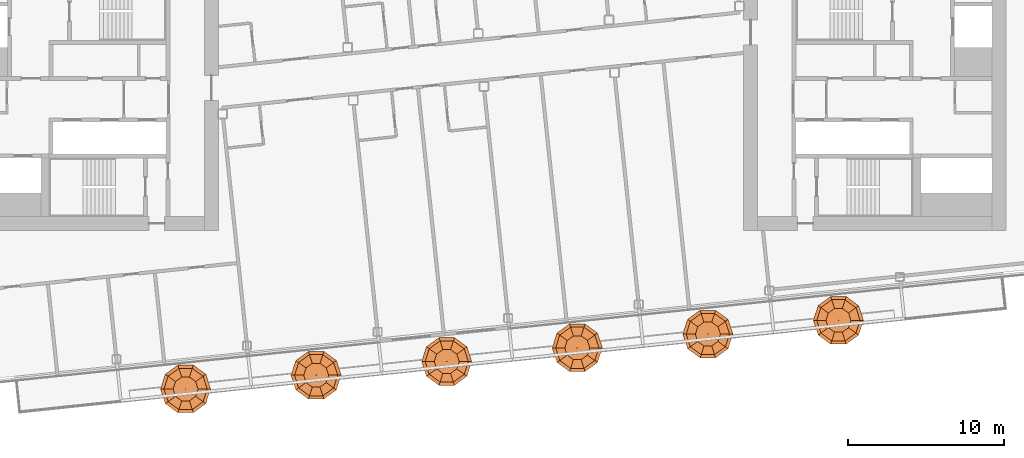
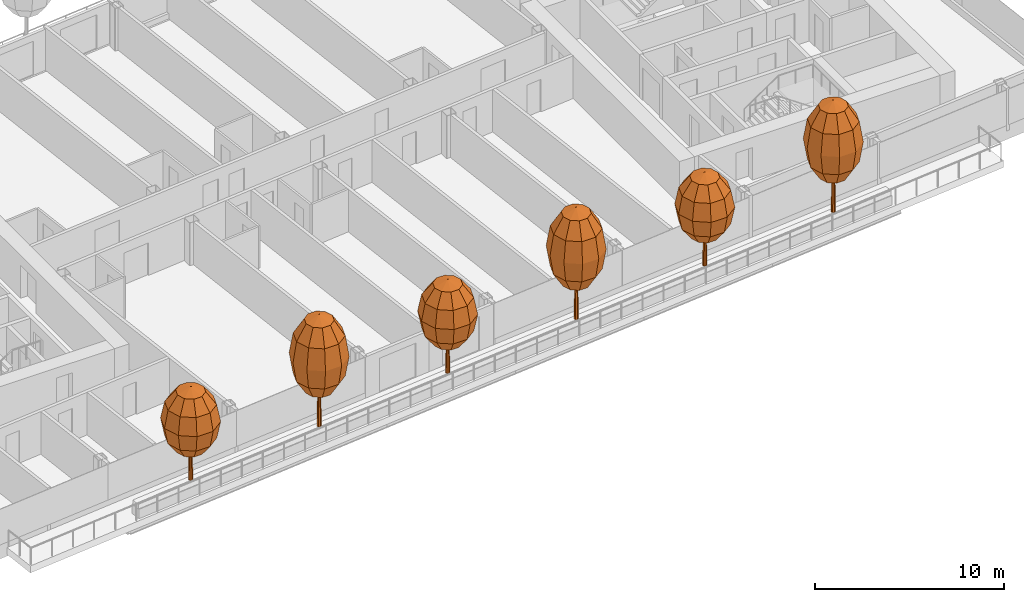
# One storey, part 29 of 30: 6 geographic elements.
"""IFC4 building model written with IfcOpenShell, lengths in metres."""

from ifc_helpers import new_model, si_unit, direction, frame, origin, place, context, subcontext, project, spatial, triangles, material, type_object, element, save


model = new_model("IFC4")

# Units and contexts
model_context = context("Model", 3, precision=1e-05, world=origin(), true_north=direction((0.0, 1.0)))
body_context = subcontext(model_context, "Body", "Model", "MODEL_VIEW")
ifc_project = project(units=[si_unit("LENGTHUNIT", "METRE"), si_unit("AREAUNIT", "SQUARE_METRE"), si_unit("VOLUMEUNIT", "CUBIC_METRE"), si_unit("PLANEANGLEUNIT", "RADIAN"), si_unit("MASSUNIT", "GRAM", prefix="KILO")], contexts=[model_context])

# Site, building, storey
site_placement = place(None, origin())
site = spatial("IfcSite", under=ifc_project, at=site_placement, CompositionType="ELEMENT")
building_placement = place(site_placement, origin())
building = spatial("IfcBuilding", under=site, at=building_placement, Name="Hakoniwa Tower and Hamabe Station Hall", CompositionType="ELEMENT")
storey_placement = place(building_placement, frame((0.0, 0.0, 245.39990234375)))
storey = spatial("IfcBuildingStorey", under=building, at=storey_placement, Name="L69", CompositionType="ELEMENT", Elevation=245.39990234375)

# Geographic elements
ifc_material_1 = material(Name="Tree foliage")
geographic_element_type_1 = type_object("IfcGeographicElementType", Name="Japanese maple 7.2 m", PredefinedType="USERDEFINED", material=ifc_material_1)
geographic_element_1_placement = place(storey_placement, frame((-10.550048828125, -17.663330078125, 0.900146484375)))
element("IfcGeographicElement", 1, at=geographic_element_1_placement, inside=storey, type_object=geographic_element_type_1, Name="Japanese maple 7-2 m", ObjectType="TREE", PredefinedType="USERDEFINED", context=body_context, shape_type="Tessellation", body=[
    triangles([(0.125, 0.0, 0.0), (0.08837890625, 0.08837890625, 0.0), (0.0, 0.125, 0.0), (-0.08837890625, 0.08837890625, 0.0), (-0.125, 0.0, 0.0), (-0.08837890625, -0.08837890625, 0.0), (0.0, -0.125, 0.0), (0.08837890625, -0.08837890625, 0.0), (0.074951171875, 0.0, 4.348876953125), (0.052978515625, 0.052978515625, 4.348876953125), (0.0, 0.074951171875, 4.348876953125), (-0.052978515625, 0.052978515625, 4.348876953125), (-0.074951171875, 0.0, 4.348876953125), (-0.052978515625, -0.052978515625, 4.348876953125), (0.0, -0.074951171875, 4.348876953125), (0.052978515625, -0.052978515625, 4.348876953125), (0.0, 0.0, 0.0), (0.0, 0.0, 4.348876953125)], [[1, 2, 10], [1, 10, 9], [17, 2, 1], [18, 9, 10], [2, 3, 11], [2, 11, 10], [17, 3, 2], [18, 10, 11], [3, 4, 12], [3, 12, 11], [17, 4, 3], [18, 11, 12], [4, 5, 13], [4, 13, 12], [17, 5, 4], [18, 12, 13], [5, 6, 14], [5, 14, 13], [17, 6, 5], [18, 13, 14], [6, 7, 15], [6, 15, 14], [17, 7, 6], [18, 14, 15], [7, 8, 16], [7, 16, 15], [17, 8, 7], [18, 15, 16], [8, 1, 9], [8, 9, 16], [17, 1, 8], [18, 16, 9]], closed=True),
    triangles([(0.0, 0.0, 2.015869140625), (0.800048828125, 0.0, 2.36328125), (0.647216796875, 0.47021484375, 2.36328125), (0.247314453125, 0.7607421875, 2.36328125), (-0.247314453125, 0.7607421875, 2.36328125), (-0.647216796875, 0.47021484375, 2.36328125), (-0.800048828125, 0.0, 2.36328125), (-0.647216796875, -0.47021484375, 2.36328125), (-0.247314453125, -0.7607421875, 2.36328125), (0.247314453125, -0.7607421875, 2.36328125), (0.647216796875, -0.47021484375, 2.36328125), (1.385498046875, 0.0, 3.31201171875), (1.12109375, 0.814453125, 3.31201171875), (0.42822265625, 1.31787109375, 3.31201171875), (-0.42822265625, 1.31787109375, 3.31201171875), (-1.12109375, 0.814453125, 3.31201171875), (-1.385498046875, 0.0, 3.31201171875), (-1.12109375, -0.814453125, 3.31201171875), (-0.42822265625, -1.31787109375, 3.31201171875), (0.42822265625, -1.31787109375, 3.31201171875), (1.12109375, -0.814453125, 3.31201171875), (1.60009765625, 0.0, 4.60791015625), (1.29443359375, 0.9404296875, 4.60791015625), (0.494384765625, 1.521728515625, 4.60791015625), (-0.494384765625, 1.521728515625, 4.60791015625), (-1.29443359375, 0.9404296875, 4.60791015625), (-1.60009765625, 0.0, 4.60791015625), (-1.29443359375, -0.9404296875, 4.60791015625), (-0.494384765625, -1.521728515625, 4.60791015625), (0.494384765625, -1.521728515625, 4.60791015625), (1.29443359375, -0.9404296875, 4.60791015625), (1.385498046875, 0.0, 5.904052734375), (1.12109375, 0.814453125, 5.904052734375), (0.42822265625, 1.31787109375, 5.904052734375), (-0.42822265625, 1.31787109375, 5.904052734375), (-1.12109375, 0.814453125, 5.904052734375), (-1.385498046875, 0.0, 5.904052734375), (-1.12109375, -0.814453125, 5.904052734375), (-0.42822265625, -1.31787109375, 5.904052734375), (0.42822265625, -1.31787109375, 5.904052734375), (1.12109375, -0.814453125, 5.904052734375), (0.800048828125, 0.0, 6.852783203125), (0.647216796875, 0.47021484375, 6.852783203125), (0.247314453125, 0.7607421875, 6.852783203125), (-0.247314453125, 0.7607421875, 6.852783203125), (-0.647216796875, 0.47021484375, 6.852783203125), (-0.800048828125, 0.0, 6.852783203125), (-0.647216796875, -0.47021484375, 6.852783203125), (-0.247314453125, -0.7607421875, 6.852783203125), (0.247314453125, -0.7607421875, 6.852783203125), (0.647216796875, -0.47021484375, 6.852783203125), (0.0, 0.0, 7.199951171875)], [[1, 3, 2], [1, 4, 3], [1, 5, 4], [1, 6, 5], [1, 7, 6], [1, 8, 7], [1, 9, 8], [1, 10, 9], [1, 11, 10], [1, 2, 11], [2, 3, 13], [2, 13, 12], [3, 4, 14], [3, 14, 13], [4, 5, 15], [4, 15, 14], [5, 6, 16], [5, 16, 15], [6, 7, 17], [6, 17, 16], [7, 8, 18], [7, 18, 17], [8, 9, 19], [8, 19, 18], [9, 10, 20], [9, 20, 19], [10, 11, 21], [10, 21, 20], [11, 2, 12], [11, 12, 21], [12, 13, 23], [12, 23, 22], [13, 14, 24], [13, 24, 23], [14, 15, 25], [14, 25, 24], [15, 16, 26], [15, 26, 25], [16, 17, 27], [16, 27, 26], [17, 18, 28], [17, 28, 27], [18, 19, 29], [18, 29, 28], [19, 20, 30], [19, 30, 29], [20, 21, 31], [20, 31, 30], [21, 12, 22], [21, 22, 31], [22, 23, 33], [22, 33, 32], [23, 24, 34], [23, 34, 33], [24, 25, 35], [24, 35, 34], [25, 26, 36], [25, 36, 35], [26, 27, 37], [26, 37, 36], [27, 28, 38], [27, 38, 37], [28, 29, 39], [28, 39, 38], [29, 30, 40], [29, 40, 39], [30, 31, 41], [30, 41, 40], [31, 22, 32], [31, 32, 41], [32, 33, 43], [32, 43, 42], [33, 34, 44], [33, 44, 43], [34, 35, 45], [34, 45, 44], [35, 36, 46], [35, 46, 45], [36, 37, 47], [36, 47, 46], [37, 38, 48], [37, 48, 47], [38, 39, 49], [38, 49, 48], [39, 40, 50], [39, 50, 49], [40, 41, 51], [40, 51, 50], [41, 32, 42], [41, 42, 51], [52, 42, 43], [52, 43, 44], [52, 44, 45], [52, 45, 46], [52, 46, 47], [52, 47, 48], [52, 48, 49], [52, 49, 50], [52, 50, 51], [52, 51, 42]], closed=True),
])
geographic_element_2_placement = place(storey_placement, frame((6.15771484375, -15.9072265625, 0.900146484375)))
element("IfcGeographicElement", 2, at=geographic_element_2_placement, inside=storey, type_object=geographic_element_type_1, Name="Japanese maple 7-2 m", ObjectType="TREE", PredefinedType="USERDEFINED", context=body_context, shape_type="Tessellation", body=[
    triangles([(0.125, 0.0, 0.0), (0.08837890625, 0.08837890625, 0.0), (0.0, 0.125, 0.0), (-0.08837890625, 0.08837890625, 0.0), (-0.125, 0.0, 0.0), (-0.08837890625, -0.08837890625, 0.0), (0.0, -0.125, 0.0), (0.08837890625, -0.08837890625, 0.0), (0.074951171875, 0.0, 4.348876953125), (0.052978515625, 0.052978515625, 4.348876953125), (0.0, 0.074951171875, 4.348876953125), (-0.052978515625, 0.052978515625, 4.348876953125), (-0.074951171875, 0.0, 4.348876953125), (-0.052978515625, -0.052978515625, 4.348876953125), (0.0, -0.074951171875, 4.348876953125), (0.052978515625, -0.052978515625, 4.348876953125), (0.0, 0.0, 0.0), (0.0, 0.0, 4.348876953125)], [[1, 2, 10], [1, 10, 9], [17, 2, 1], [18, 9, 10], [2, 3, 11], [2, 11, 10], [17, 3, 2], [18, 10, 11], [3, 4, 12], [3, 12, 11], [17, 4, 3], [18, 11, 12], [4, 5, 13], [4, 13, 12], [17, 5, 4], [18, 12, 13], [5, 6, 14], [5, 14, 13], [17, 6, 5], [18, 13, 14], [6, 7, 15], [6, 15, 14], [17, 7, 6], [18, 14, 15], [7, 8, 16], [7, 16, 15], [17, 8, 7], [18, 15, 16], [8, 1, 9], [8, 9, 16], [17, 1, 8], [18, 16, 9]], closed=True),
    triangles([(0.0, 0.0, 2.015869140625), (0.800048828125, 0.0, 2.36328125), (0.647216796875, 0.47021484375, 2.36328125), (0.247314453125, 0.7607421875, 2.36328125), (-0.247314453125, 0.7607421875, 2.36328125), (-0.647216796875, 0.47021484375, 2.36328125), (-0.800048828125, 0.0, 2.36328125), (-0.647216796875, -0.47021484375, 2.36328125), (-0.247314453125, -0.7607421875, 2.36328125), (0.247314453125, -0.7607421875, 2.36328125), (0.647216796875, -0.47021484375, 2.36328125), (1.385498046875, 0.0, 3.31201171875), (1.12109375, 0.814453125, 3.31201171875), (0.42822265625, 1.31787109375, 3.31201171875), (-0.42822265625, 1.31787109375, 3.31201171875), (-1.12109375, 0.814453125, 3.31201171875), (-1.385498046875, 0.0, 3.31201171875), (-1.12109375, -0.814453125, 3.31201171875), (-0.42822265625, -1.31787109375, 3.31201171875), (0.42822265625, -1.31787109375, 3.31201171875), (1.12109375, -0.814453125, 3.31201171875), (1.60009765625, 0.0, 4.60791015625), (1.29443359375, 0.9404296875, 4.60791015625), (0.494384765625, 1.521728515625, 4.60791015625), (-0.494384765625, 1.521728515625, 4.60791015625), (-1.29443359375, 0.9404296875, 4.60791015625), (-1.60009765625, 0.0, 4.60791015625), (-1.29443359375, -0.9404296875, 4.60791015625), (-0.494384765625, -1.521728515625, 4.60791015625), (0.494384765625, -1.521728515625, 4.60791015625), (1.29443359375, -0.9404296875, 4.60791015625), (1.385498046875, 0.0, 5.904052734375), (1.12109375, 0.814453125, 5.904052734375), (0.42822265625, 1.31787109375, 5.904052734375), (-0.42822265625, 1.31787109375, 5.904052734375), (-1.12109375, 0.814453125, 5.904052734375), (-1.385498046875, 0.0, 5.904052734375), (-1.12109375, -0.814453125, 5.904052734375), (-0.42822265625, -1.31787109375, 5.904052734375), (0.42822265625, -1.31787109375, 5.904052734375), (1.12109375, -0.814453125, 5.904052734375), (0.800048828125, 0.0, 6.852783203125), (0.647216796875, 0.47021484375, 6.852783203125), (0.247314453125, 0.7607421875, 6.852783203125), (-0.247314453125, 0.7607421875, 6.852783203125), (-0.647216796875, 0.47021484375, 6.852783203125), (-0.800048828125, 0.0, 6.852783203125), (-0.647216796875, -0.47021484375, 6.852783203125), (-0.247314453125, -0.7607421875, 6.852783203125), (0.247314453125, -0.7607421875, 6.852783203125), (0.647216796875, -0.47021484375, 6.852783203125), (0.0, 0.0, 7.199951171875)], [[1, 3, 2], [1, 4, 3], [1, 5, 4], [1, 6, 5], [1, 7, 6], [1, 8, 7], [1, 9, 8], [1, 10, 9], [1, 11, 10], [1, 2, 11], [2, 3, 13], [2, 13, 12], [3, 4, 14], [3, 14, 13], [4, 5, 15], [4, 15, 14], [5, 6, 16], [5, 16, 15], [6, 7, 17], [6, 17, 16], [7, 8, 18], [7, 18, 17], [8, 9, 19], [8, 19, 18], [9, 10, 20], [9, 20, 19], [10, 11, 21], [10, 21, 20], [11, 2, 12], [11, 12, 21], [12, 13, 23], [12, 23, 22], [13, 14, 24], [13, 24, 23], [14, 15, 25], [14, 25, 24], [15, 16, 26], [15, 26, 25], [16, 17, 27], [16, 27, 26], [17, 18, 28], [17, 28, 27], [18, 19, 29], [18, 29, 28], [19, 20, 30], [19, 30, 29], [20, 21, 31], [20, 31, 30], [21, 12, 22], [21, 22, 31], [22, 23, 33], [22, 33, 32], [23, 24, 34], [23, 34, 33], [24, 25, 35], [24, 35, 34], [25, 26, 36], [25, 36, 35], [26, 27, 37], [26, 37, 36], [27, 28, 38], [27, 38, 37], [28, 29, 39], [28, 39, 38], [29, 30, 40], [29, 40, 39], [30, 31, 41], [30, 41, 40], [31, 22, 32], [31, 32, 41], [32, 33, 43], [32, 43, 42], [33, 34, 44], [33, 44, 43], [34, 35, 45], [34, 45, 44], [35, 36, 46], [35, 46, 45], [36, 37, 47], [36, 47, 46], [37, 38, 48], [37, 48, 47], [38, 39, 49], [38, 49, 48], [39, 40, 50], [39, 50, 49], [40, 41, 51], [40, 51, 50], [41, 32, 42], [41, 42, 51], [52, 42, 43], [52, 43, 44], [52, 44, 45], [52, 45, 46], [52, 46, 47], [52, 47, 48], [52, 48, 49], [52, 49, 50], [52, 50, 51], [52, 51, 42]], closed=True),
])
geographic_element_3_placement = place(storey_placement, frame((22.86572265625, -14.151123046875, 0.900146484375)))
element("IfcGeographicElement", 3, at=geographic_element_3_placement, inside=storey, type_object=geographic_element_type_1, Name="Japanese maple 7-2 m", ObjectType="TREE", PredefinedType="USERDEFINED", context=body_context, shape_type="Tessellation", body=[
    triangles([(0.125, 0.0, 0.0), (0.08837890625, 0.08837890625, 0.0), (0.0, 0.125, 0.0), (-0.08837890625, 0.08837890625, 0.0), (-0.125, 0.0, 0.0), (-0.08837890625, -0.08837890625, 0.0), (0.0, -0.125, 0.0), (0.08837890625, -0.08837890625, 0.0), (0.074951171875, 0.0, 4.348876953125), (0.052978515625, 0.052978515625, 4.348876953125), (0.0, 0.074951171875, 4.348876953125), (-0.052978515625, 0.052978515625, 4.348876953125), (-0.074951171875, 0.0, 4.348876953125), (-0.052978515625, -0.052978515625, 4.348876953125), (0.0, -0.074951171875, 4.348876953125), (0.052978515625, -0.052978515625, 4.348876953125), (0.0, 0.0, 0.0), (0.0, 0.0, 4.348876953125)], [[1, 2, 10], [1, 10, 9], [17, 2, 1], [18, 9, 10], [2, 3, 11], [2, 11, 10], [17, 3, 2], [18, 10, 11], [3, 4, 12], [3, 12, 11], [17, 4, 3], [18, 11, 12], [4, 5, 13], [4, 13, 12], [17, 5, 4], [18, 12, 13], [5, 6, 14], [5, 14, 13], [17, 6, 5], [18, 13, 14], [6, 7, 15], [6, 15, 14], [17, 7, 6], [18, 14, 15], [7, 8, 16], [7, 16, 15], [17, 8, 7], [18, 15, 16], [8, 1, 9], [8, 9, 16], [17, 1, 8], [18, 16, 9]], closed=True),
    triangles([(0.0, 0.0, 2.015869140625), (0.800048828125, 0.0, 2.36328125), (0.647216796875, 0.47021484375, 2.36328125), (0.247314453125, 0.7607421875, 2.36328125), (-0.247314453125, 0.7607421875, 2.36328125), (-0.647216796875, 0.47021484375, 2.36328125), (-0.800048828125, 0.0, 2.36328125), (-0.647216796875, -0.47021484375, 2.36328125), (-0.247314453125, -0.7607421875, 2.36328125), (0.247314453125, -0.7607421875, 2.36328125), (0.647216796875, -0.47021484375, 2.36328125), (1.385498046875, 0.0, 3.31201171875), (1.12109375, 0.814453125, 3.31201171875), (0.42822265625, 1.31787109375, 3.31201171875), (-0.42822265625, 1.31787109375, 3.31201171875), (-1.12109375, 0.814453125, 3.31201171875), (-1.385498046875, 0.0, 3.31201171875), (-1.12109375, -0.814453125, 3.31201171875), (-0.42822265625, -1.31787109375, 3.31201171875), (0.42822265625, -1.31787109375, 3.31201171875), (1.12109375, -0.814453125, 3.31201171875), (1.60009765625, 0.0, 4.60791015625), (1.29443359375, 0.9404296875, 4.60791015625), (0.494384765625, 1.521728515625, 4.60791015625), (-0.494384765625, 1.521728515625, 4.60791015625), (-1.29443359375, 0.9404296875, 4.60791015625), (-1.60009765625, 0.0, 4.60791015625), (-1.29443359375, -0.9404296875, 4.60791015625), (-0.494384765625, -1.521728515625, 4.60791015625), (0.494384765625, -1.521728515625, 4.60791015625), (1.29443359375, -0.9404296875, 4.60791015625), (1.385498046875, 0.0, 5.904052734375), (1.12109375, 0.814453125, 5.904052734375), (0.42822265625, 1.31787109375, 5.904052734375), (-0.42822265625, 1.31787109375, 5.904052734375), (-1.12109375, 0.814453125, 5.904052734375), (-1.385498046875, 0.0, 5.904052734375), (-1.12109375, -0.814453125, 5.904052734375), (-0.42822265625, -1.31787109375, 5.904052734375), (0.42822265625, -1.31787109375, 5.904052734375), (1.12109375, -0.814453125, 5.904052734375), (0.800048828125, 0.0, 6.852783203125), (0.647216796875, 0.47021484375, 6.852783203125), (0.247314453125, 0.7607421875, 6.852783203125), (-0.247314453125, 0.7607421875, 6.852783203125), (-0.647216796875, 0.47021484375, 6.852783203125), (-0.800048828125, 0.0, 6.852783203125), (-0.647216796875, -0.47021484375, 6.852783203125), (-0.247314453125, -0.7607421875, 6.852783203125), (0.247314453125, -0.7607421875, 6.852783203125), (0.647216796875, -0.47021484375, 6.852783203125), (0.0, 0.0, 7.199951171875)], [[1, 3, 2], [1, 4, 3], [1, 5, 4], [1, 6, 5], [1, 7, 6], [1, 8, 7], [1, 9, 8], [1, 10, 9], [1, 11, 10], [1, 2, 11], [2, 3, 13], [2, 13, 12], [3, 4, 14], [3, 14, 13], [4, 5, 15], [4, 15, 14], [5, 6, 16], [5, 16, 15], [6, 7, 17], [6, 17, 16], [7, 8, 18], [7, 18, 17], [8, 9, 19], [8, 19, 18], [9, 10, 20], [9, 20, 19], [10, 11, 21], [10, 21, 20], [11, 2, 12], [11, 12, 21], [12, 13, 23], [12, 23, 22], [13, 14, 24], [13, 24, 23], [14, 15, 25], [14, 25, 24], [15, 16, 26], [15, 26, 25], [16, 17, 27], [16, 27, 26], [17, 18, 28], [17, 28, 27], [18, 19, 29], [18, 29, 28], [19, 20, 30], [19, 30, 29], [20, 21, 31], [20, 31, 30], [21, 12, 22], [21, 22, 31], [22, 23, 33], [22, 33, 32], [23, 24, 34], [23, 34, 33], [24, 25, 35], [24, 35, 34], [25, 26, 36], [25, 36, 35], [26, 27, 37], [26, 37, 36], [27, 28, 38], [27, 38, 37], [28, 29, 39], [28, 39, 38], [29, 30, 40], [29, 40, 39], [30, 31, 41], [30, 41, 40], [31, 22, 32], [31, 32, 41], [32, 33, 43], [32, 43, 42], [33, 34, 44], [33, 44, 43], [34, 35, 45], [34, 45, 44], [35, 36, 46], [35, 46, 45], [36, 37, 47], [36, 47, 46], [37, 38, 48], [37, 48, 47], [38, 39, 49], [38, 49, 48], [39, 40, 50], [39, 50, 49], [40, 41, 51], [40, 51, 50], [41, 32, 42], [41, 42, 51], [52, 42, 43], [52, 43, 44], [52, 44, 45], [52, 45, 46], [52, 46, 47], [52, 47, 48], [52, 48, 49], [52, 49, 50], [52, 50, 51], [52, 51, 42]], closed=True),
])
ifc_material_2 = material(Name="Tree foliage")
geographic_element_type_2 = type_object("IfcGeographicElementType", Name="Osmanthus 6.0 m", PredefinedType="USERDEFINED", material=ifc_material_2)
geographic_element_4_placement = place(storey_placement, frame((-18.904052734375, -18.541259765625, 0.900146484375)))
element("IfcGeographicElement", 4, at=geographic_element_4_placement, inside=storey, type_object=geographic_element_type_2, Name="Osmanthus 6-0 m", ObjectType="TREE", PredefinedType="USERDEFINED", context=body_context, shape_type="Tessellation", body=[
    triangles([(0.125, 0.0, 0.0), (0.08837890625, 0.08837890625, 0.0), (0.0, 0.125, 0.0), (-0.08837890625, 0.08837890625, 0.0), (-0.125, 0.0, 0.0), (-0.08837890625, -0.08837890625, 0.0), (0.0, -0.125, 0.0), (0.08837890625, -0.08837890625, 0.0), (0.074951171875, 0.0, 3.6240234375), (0.052978515625, 0.052978515625, 3.6240234375), (0.0, 0.074951171875, 3.6240234375), (-0.052978515625, 0.052978515625, 3.6240234375), (-0.074951171875, 0.0, 3.6240234375), (-0.052978515625, -0.052978515625, 3.6240234375), (0.0, -0.074951171875, 3.6240234375), (0.052978515625, -0.052978515625, 3.6240234375), (0.0, 0.0, 0.0), (0.0, 0.0, 3.6240234375)], [[1, 2, 10], [1, 10, 9], [17, 2, 1], [18, 9, 10], [2, 3, 11], [2, 11, 10], [17, 3, 2], [18, 10, 11], [3, 4, 12], [3, 12, 11], [17, 4, 3], [18, 11, 12], [4, 5, 13], [4, 13, 12], [17, 5, 4], [18, 12, 13], [5, 6, 14], [5, 14, 13], [17, 6, 5], [18, 13, 14], [6, 7, 15], [6, 15, 14], [17, 7, 6], [18, 14, 15], [7, 8, 16], [7, 16, 15], [17, 8, 7], [18, 15, 16], [8, 1, 9], [8, 9, 16], [17, 1, 8], [18, 16, 9]], closed=True),
    triangles([(0.0, 0.0, 1.679931640625), (0.800048828125, 0.0, 1.969482421875), (0.647216796875, 0.47021484375, 1.969482421875), (0.247314453125, 0.7607421875, 1.969482421875), (-0.247314453125, 0.7607421875, 1.969482421875), (-0.647216796875, 0.47021484375, 1.969482421875), (-0.800048828125, 0.0, 1.969482421875), (-0.647216796875, -0.47021484375, 1.969482421875), (-0.247314453125, -0.7607421875, 1.969482421875), (0.247314453125, -0.7607421875, 1.969482421875), (0.647216796875, -0.47021484375, 1.969482421875), (1.385498046875, 0.0, 2.760009765625), (1.12109375, 0.814453125, 2.760009765625), (0.42822265625, 1.31787109375, 2.760009765625), (-0.42822265625, 1.31787109375, 2.760009765625), (-1.12109375, 0.814453125, 2.760009765625), (-1.385498046875, 0.0, 2.760009765625), (-1.12109375, -0.814453125, 2.760009765625), (-0.42822265625, -1.31787109375, 2.760009765625), (0.42822265625, -1.31787109375, 2.760009765625), (1.12109375, -0.814453125, 2.760009765625), (1.60009765625, 0.0, 3.840087890625), (1.29443359375, 0.9404296875, 3.840087890625), (0.494384765625, 1.521728515625, 3.840087890625), (-0.494384765625, 1.521728515625, 3.840087890625), (-1.29443359375, 0.9404296875, 3.840087890625), (-1.60009765625, 0.0, 3.840087890625), (-1.29443359375, -0.9404296875, 3.840087890625), (-0.494384765625, -1.521728515625, 3.840087890625), (0.494384765625, -1.521728515625, 3.840087890625), (1.29443359375, -0.9404296875, 3.840087890625), (1.385498046875, 0.0, 4.919921875), (1.12109375, 0.814453125, 4.919921875), (0.42822265625, 1.31787109375, 4.919921875), (-0.42822265625, 1.31787109375, 4.919921875), (-1.12109375, 0.814453125, 4.919921875), (-1.385498046875, 0.0, 4.919921875), (-1.12109375, -0.814453125, 4.919921875), (-0.42822265625, -1.31787109375, 4.919921875), (0.42822265625, -1.31787109375, 4.919921875), (1.12109375, -0.814453125, 4.919921875), (0.800048828125, 0.0, 5.710693359375), (0.647216796875, 0.47021484375, 5.710693359375), (0.247314453125, 0.7607421875, 5.710693359375), (-0.247314453125, 0.7607421875, 5.710693359375), (-0.647216796875, 0.47021484375, 5.710693359375), (-0.800048828125, 0.0, 5.710693359375), (-0.647216796875, -0.47021484375, 5.710693359375), (-0.247314453125, -0.7607421875, 5.710693359375), (0.247314453125, -0.7607421875, 5.710693359375), (0.647216796875, -0.47021484375, 5.710693359375), (0.0, 0.0, 6.0)], [[1, 3, 2], [1, 4, 3], [1, 5, 4], [1, 6, 5], [1, 7, 6], [1, 8, 7], [1, 9, 8], [1, 10, 9], [1, 11, 10], [1, 2, 11], [2, 3, 13], [2, 13, 12], [3, 4, 14], [3, 14, 13], [4, 5, 15], [4, 15, 14], [5, 6, 16], [5, 16, 15], [6, 7, 17], [6, 17, 16], [7, 8, 18], [7, 18, 17], [8, 9, 19], [8, 19, 18], [9, 10, 20], [9, 20, 19], [10, 11, 21], [10, 21, 20], [11, 2, 12], [11, 12, 21], [12, 13, 23], [12, 23, 22], [13, 14, 24], [13, 24, 23], [14, 15, 25], [14, 25, 24], [15, 16, 26], [15, 26, 25], [16, 17, 27], [16, 27, 26], [17, 18, 28], [17, 28, 27], [18, 19, 29], [18, 29, 28], [19, 20, 30], [19, 30, 29], [20, 21, 31], [20, 31, 30], [21, 12, 22], [21, 22, 31], [22, 23, 33], [22, 33, 32], [23, 24, 34], [23, 34, 33], [24, 25, 35], [24, 35, 34], [25, 26, 36], [25, 36, 35], [26, 27, 37], [26, 37, 36], [27, 28, 38], [27, 38, 37], [28, 29, 39], [28, 39, 38], [29, 30, 40], [29, 40, 39], [30, 31, 41], [30, 41, 40], [31, 22, 32], [31, 32, 41], [32, 33, 43], [32, 43, 42], [33, 34, 44], [33, 44, 43], [34, 35, 45], [34, 45, 44], [35, 36, 46], [35, 46, 45], [36, 37, 47], [36, 47, 46], [37, 38, 48], [37, 48, 47], [38, 39, 49], [38, 49, 48], [39, 40, 50], [39, 50, 49], [40, 41, 51], [40, 51, 50], [41, 32, 42], [41, 42, 51], [52, 42, 43], [52, 43, 44], [52, 44, 45], [52, 45, 46], [52, 46, 47], [52, 47, 48], [52, 48, 49], [52, 49, 50], [52, 50, 51], [52, 51, 42]], closed=True),
])
geographic_element_5_placement = place(storey_placement, frame((-2.1962890625, -16.78515625, 0.900146484375)))
element("IfcGeographicElement", 5, at=geographic_element_5_placement, inside=storey, type_object=geographic_element_type_2, Name="Osmanthus 6-0 m", ObjectType="TREE", PredefinedType="USERDEFINED", context=body_context, shape_type="Tessellation", body=[
    triangles([(0.125, 0.0, 0.0), (0.08837890625, 0.08837890625, 0.0), (0.0, 0.125, 0.0), (-0.08837890625, 0.08837890625, 0.0), (-0.125, 0.0, 0.0), (-0.08837890625, -0.08837890625, 0.0), (0.0, -0.125, 0.0), (0.08837890625, -0.08837890625, 0.0), (0.074951171875, 0.0, 3.6240234375), (0.052978515625, 0.052978515625, 3.6240234375), (0.0, 0.074951171875, 3.6240234375), (-0.052978515625, 0.052978515625, 3.6240234375), (-0.074951171875, 0.0, 3.6240234375), (-0.052978515625, -0.052978515625, 3.6240234375), (0.0, -0.074951171875, 3.6240234375), (0.052978515625, -0.052978515625, 3.6240234375), (0.0, 0.0, 0.0), (0.0, 0.0, 3.6240234375)], [[1, 2, 10], [1, 10, 9], [17, 2, 1], [18, 9, 10], [2, 3, 11], [2, 11, 10], [17, 3, 2], [18, 10, 11], [3, 4, 12], [3, 12, 11], [17, 4, 3], [18, 11, 12], [4, 5, 13], [4, 13, 12], [17, 5, 4], [18, 12, 13], [5, 6, 14], [5, 14, 13], [17, 6, 5], [18, 13, 14], [6, 7, 15], [6, 15, 14], [17, 7, 6], [18, 14, 15], [7, 8, 16], [7, 16, 15], [17, 8, 7], [18, 15, 16], [8, 1, 9], [8, 9, 16], [17, 1, 8], [18, 16, 9]], closed=True),
    triangles([(0.0, 0.0, 1.679931640625), (0.800048828125, 0.0, 1.969482421875), (0.647216796875, 0.47021484375, 1.969482421875), (0.247314453125, 0.7607421875, 1.969482421875), (-0.247314453125, 0.7607421875, 1.969482421875), (-0.647216796875, 0.47021484375, 1.969482421875), (-0.800048828125, 0.0, 1.969482421875), (-0.647216796875, -0.47021484375, 1.969482421875), (-0.247314453125, -0.7607421875, 1.969482421875), (0.247314453125, -0.7607421875, 1.969482421875), (0.647216796875, -0.47021484375, 1.969482421875), (1.385498046875, 0.0, 2.760009765625), (1.12109375, 0.814453125, 2.760009765625), (0.42822265625, 1.31787109375, 2.760009765625), (-0.42822265625, 1.31787109375, 2.760009765625), (-1.12109375, 0.814453125, 2.760009765625), (-1.385498046875, 0.0, 2.760009765625), (-1.12109375, -0.814453125, 2.760009765625), (-0.42822265625, -1.31787109375, 2.760009765625), (0.42822265625, -1.31787109375, 2.760009765625), (1.12109375, -0.814453125, 2.760009765625), (1.60009765625, 0.0, 3.840087890625), (1.29443359375, 0.9404296875, 3.840087890625), (0.494384765625, 1.521728515625, 3.840087890625), (-0.494384765625, 1.521728515625, 3.840087890625), (-1.29443359375, 0.9404296875, 3.840087890625), (-1.60009765625, 0.0, 3.840087890625), (-1.29443359375, -0.9404296875, 3.840087890625), (-0.494384765625, -1.521728515625, 3.840087890625), (0.494384765625, -1.521728515625, 3.840087890625), (1.29443359375, -0.9404296875, 3.840087890625), (1.385498046875, 0.0, 4.919921875), (1.12109375, 0.814453125, 4.919921875), (0.42822265625, 1.31787109375, 4.919921875), (-0.42822265625, 1.31787109375, 4.919921875), (-1.12109375, 0.814453125, 4.919921875), (-1.385498046875, 0.0, 4.919921875), (-1.12109375, -0.814453125, 4.919921875), (-0.42822265625, -1.31787109375, 4.919921875), (0.42822265625, -1.31787109375, 4.919921875), (1.12109375, -0.814453125, 4.919921875), (0.800048828125, 0.0, 5.710693359375), (0.647216796875, 0.47021484375, 5.710693359375), (0.247314453125, 0.7607421875, 5.710693359375), (-0.247314453125, 0.7607421875, 5.710693359375), (-0.647216796875, 0.47021484375, 5.710693359375), (-0.800048828125, 0.0, 5.710693359375), (-0.647216796875, -0.47021484375, 5.710693359375), (-0.247314453125, -0.7607421875, 5.710693359375), (0.247314453125, -0.7607421875, 5.710693359375), (0.647216796875, -0.47021484375, 5.710693359375), (0.0, 0.0, 6.0)], [[1, 3, 2], [1, 4, 3], [1, 5, 4], [1, 6, 5], [1, 7, 6], [1, 8, 7], [1, 9, 8], [1, 10, 9], [1, 11, 10], [1, 2, 11], [2, 3, 13], [2, 13, 12], [3, 4, 14], [3, 14, 13], [4, 5, 15], [4, 15, 14], [5, 6, 16], [5, 16, 15], [6, 7, 17], [6, 17, 16], [7, 8, 18], [7, 18, 17], [8, 9, 19], [8, 19, 18], [9, 10, 20], [9, 20, 19], [10, 11, 21], [10, 21, 20], [11, 2, 12], [11, 12, 21], [12, 13, 23], [12, 23, 22], [13, 14, 24], [13, 24, 23], [14, 15, 25], [14, 25, 24], [15, 16, 26], [15, 26, 25], [16, 17, 27], [16, 27, 26], [17, 18, 28], [17, 28, 27], [18, 19, 29], [18, 29, 28], [19, 20, 30], [19, 30, 29], [20, 21, 31], [20, 31, 30], [21, 12, 22], [21, 22, 31], [22, 23, 33], [22, 33, 32], [23, 24, 34], [23, 34, 33], [24, 25, 35], [24, 35, 34], [25, 26, 36], [25, 36, 35], [26, 27, 37], [26, 37, 36], [27, 28, 38], [27, 38, 37], [28, 29, 39], [28, 39, 38], [29, 30, 40], [29, 40, 39], [30, 31, 41], [30, 41, 40], [31, 22, 32], [31, 32, 41], [32, 33, 43], [32, 43, 42], [33, 34, 44], [33, 44, 43], [34, 35, 45], [34, 45, 44], [35, 36, 46], [35, 46, 45], [36, 37, 47], [36, 47, 46], [37, 38, 48], [37, 48, 47], [38, 39, 49], [38, 49, 48], [39, 40, 50], [39, 50, 49], [40, 41, 51], [40, 51, 50], [41, 32, 42], [41, 42, 51], [52, 42, 43], [52, 43, 44], [52, 44, 45], [52, 45, 46], [52, 46, 47], [52, 47, 48], [52, 48, 49], [52, 49, 50], [52, 50, 51], [52, 51, 42]], closed=True),
])
geographic_element_6_placement = place(storey_placement, frame((14.51171875, -15.029052734375, 0.900146484375)))
element("IfcGeographicElement", 6, at=geographic_element_6_placement, inside=storey, type_object=geographic_element_type_2, Name="Osmanthus 6-0 m", ObjectType="TREE", PredefinedType="USERDEFINED", context=body_context, shape_type="Tessellation", body=[
    triangles([(0.125, 0.0, 0.0), (0.08837890625, 0.08837890625, 0.0), (0.0, 0.125, 0.0), (-0.08837890625, 0.08837890625, 0.0), (-0.125, 0.0, 0.0), (-0.08837890625, -0.08837890625, 0.0), (0.0, -0.125, 0.0), (0.08837890625, -0.08837890625, 0.0), (0.074951171875, 0.0, 3.6240234375), (0.052978515625, 0.052978515625, 3.6240234375), (0.0, 0.074951171875, 3.6240234375), (-0.052978515625, 0.052978515625, 3.6240234375), (-0.074951171875, 0.0, 3.6240234375), (-0.052978515625, -0.052978515625, 3.6240234375), (0.0, -0.074951171875, 3.6240234375), (0.052978515625, -0.052978515625, 3.6240234375), (0.0, 0.0, 0.0), (0.0, 0.0, 3.6240234375)], [[1, 2, 10], [1, 10, 9], [17, 2, 1], [18, 9, 10], [2, 3, 11], [2, 11, 10], [17, 3, 2], [18, 10, 11], [3, 4, 12], [3, 12, 11], [17, 4, 3], [18, 11, 12], [4, 5, 13], [4, 13, 12], [17, 5, 4], [18, 12, 13], [5, 6, 14], [5, 14, 13], [17, 6, 5], [18, 13, 14], [6, 7, 15], [6, 15, 14], [17, 7, 6], [18, 14, 15], [7, 8, 16], [7, 16, 15], [17, 8, 7], [18, 15, 16], [8, 1, 9], [8, 9, 16], [17, 1, 8], [18, 16, 9]], closed=True),
    triangles([(0.0, 0.0, 1.679931640625), (0.800048828125, 0.0, 1.969482421875), (0.647216796875, 0.47021484375, 1.969482421875), (0.247314453125, 0.7607421875, 1.969482421875), (-0.247314453125, 0.7607421875, 1.969482421875), (-0.647216796875, 0.47021484375, 1.969482421875), (-0.800048828125, 0.0, 1.969482421875), (-0.647216796875, -0.47021484375, 1.969482421875), (-0.247314453125, -0.7607421875, 1.969482421875), (0.247314453125, -0.7607421875, 1.969482421875), (0.647216796875, -0.47021484375, 1.969482421875), (1.385498046875, 0.0, 2.760009765625), (1.12109375, 0.814453125, 2.760009765625), (0.42822265625, 1.31787109375, 2.760009765625), (-0.42822265625, 1.31787109375, 2.760009765625), (-1.12109375, 0.814453125, 2.760009765625), (-1.385498046875, 0.0, 2.760009765625), (-1.12109375, -0.814453125, 2.760009765625), (-0.42822265625, -1.31787109375, 2.760009765625), (0.42822265625, -1.31787109375, 2.760009765625), (1.12109375, -0.814453125, 2.760009765625), (1.60009765625, 0.0, 3.840087890625), (1.29443359375, 0.9404296875, 3.840087890625), (0.494384765625, 1.521728515625, 3.840087890625), (-0.494384765625, 1.521728515625, 3.840087890625), (-1.29443359375, 0.9404296875, 3.840087890625), (-1.60009765625, 0.0, 3.840087890625), (-1.29443359375, -0.9404296875, 3.840087890625), (-0.494384765625, -1.521728515625, 3.840087890625), (0.494384765625, -1.521728515625, 3.840087890625), (1.29443359375, -0.9404296875, 3.840087890625), (1.385498046875, 0.0, 4.919921875), (1.12109375, 0.814453125, 4.919921875), (0.42822265625, 1.31787109375, 4.919921875), (-0.42822265625, 1.31787109375, 4.919921875), (-1.12109375, 0.814453125, 4.919921875), (-1.385498046875, 0.0, 4.919921875), (-1.12109375, -0.814453125, 4.919921875), (-0.42822265625, -1.31787109375, 4.919921875), (0.42822265625, -1.31787109375, 4.919921875), (1.12109375, -0.814453125, 4.919921875), (0.800048828125, 0.0, 5.710693359375), (0.647216796875, 0.47021484375, 5.710693359375), (0.247314453125, 0.7607421875, 5.710693359375), (-0.247314453125, 0.7607421875, 5.710693359375), (-0.647216796875, 0.47021484375, 5.710693359375), (-0.800048828125, 0.0, 5.710693359375), (-0.647216796875, -0.47021484375, 5.710693359375), (-0.247314453125, -0.7607421875, 5.710693359375), (0.247314453125, -0.7607421875, 5.710693359375), (0.647216796875, -0.47021484375, 5.710693359375), (0.0, 0.0, 6.0)], [[1, 3, 2], [1, 4, 3], [1, 5, 4], [1, 6, 5], [1, 7, 6], [1, 8, 7], [1, 9, 8], [1, 10, 9], [1, 11, 10], [1, 2, 11], [2, 3, 13], [2, 13, 12], [3, 4, 14], [3, 14, 13], [4, 5, 15], [4, 15, 14], [5, 6, 16], [5, 16, 15], [6, 7, 17], [6, 17, 16], [7, 8, 18], [7, 18, 17], [8, 9, 19], [8, 19, 18], [9, 10, 20], [9, 20, 19], [10, 11, 21], [10, 21, 20], [11, 2, 12], [11, 12, 21], [12, 13, 23], [12, 23, 22], [13, 14, 24], [13, 24, 23], [14, 15, 25], [14, 25, 24], [15, 16, 26], [15, 26, 25], [16, 17, 27], [16, 27, 26], [17, 18, 28], [17, 28, 27], [18, 19, 29], [18, 29, 28], [19, 20, 30], [19, 30, 29], [20, 21, 31], [20, 31, 30], [21, 12, 22], [21, 22, 31], [22, 23, 33], [22, 33, 32], [23, 24, 34], [23, 34, 33], [24, 25, 35], [24, 35, 34], [25, 26, 36], [25, 36, 35], [26, 27, 37], [26, 37, 36], [27, 28, 38], [27, 38, 37], [28, 29, 39], [28, 39, 38], [29, 30, 40], [29, 40, 39], [30, 31, 41], [30, 41, 40], [31, 22, 32], [31, 32, 41], [32, 33, 43], [32, 43, 42], [33, 34, 44], [33, 44, 43], [34, 35, 45], [34, 45, 44], [35, 36, 46], [35, 46, 45], [36, 37, 47], [36, 47, 46], [37, 38, 48], [37, 48, 47], [38, 39, 49], [38, 49, 48], [39, 40, 50], [39, 50, 49], [40, 41, 51], [40, 51, 50], [41, 32, 42], [41, 42, 51], [52, 42, 43], [52, 43, 44], [52, 44, 45], [52, 45, 46], [52, 46, 47], [52, 47, 48], [52, 48, 49], [52, 49, 50], [52, 50, 51], [52, 51, 42]], closed=True),
])

save(model, "model.ifc")
